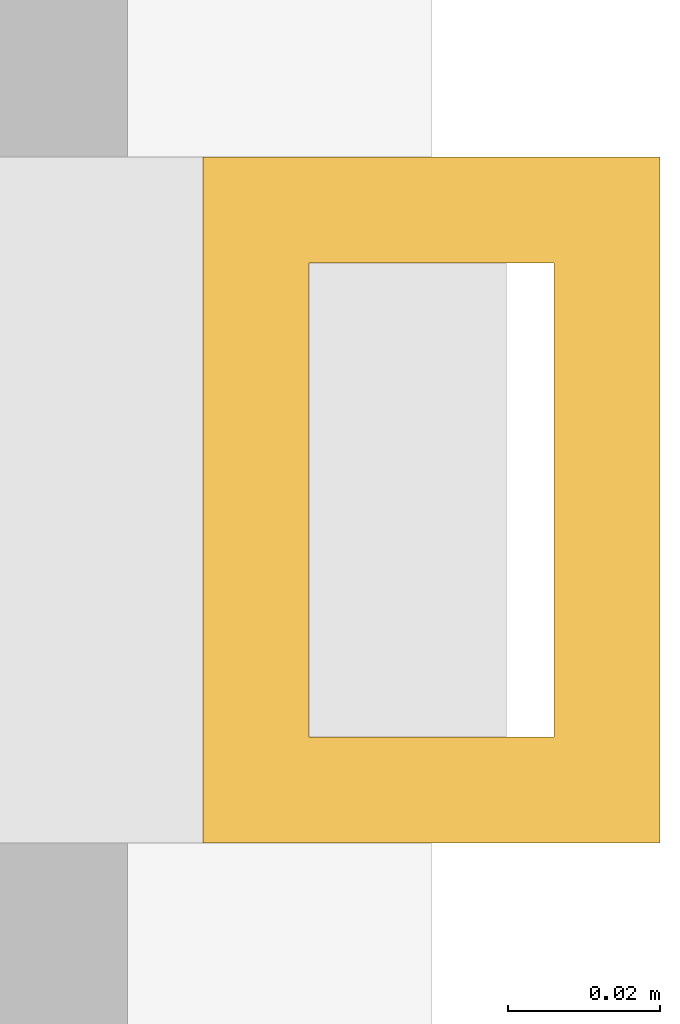
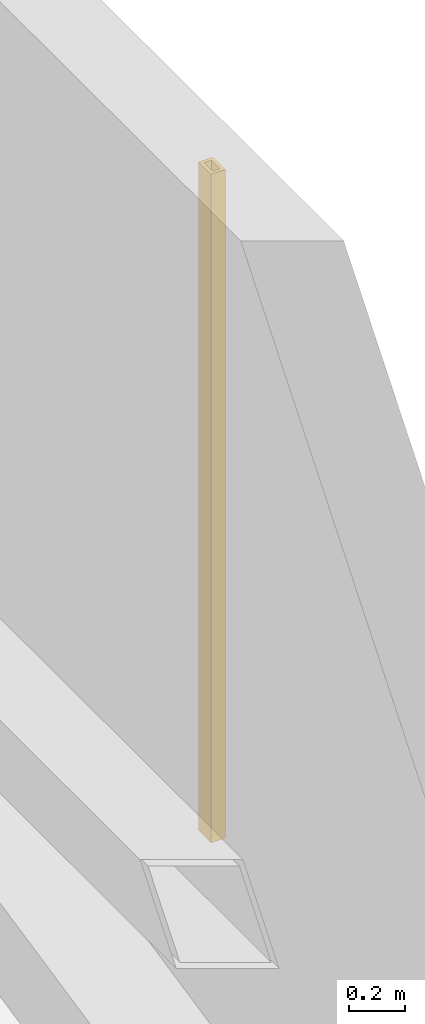
# One storey, part 29 of 29: 1 shading device.
"""IFC4 building model written with IfcOpenShell, lengths in metres."""

from ifc_helpers import new_model, si_unit, direction, frame, origin, origin_2d, place, context, subcontext, project, spatial, hollow_rectangle, extrude, material, material_profile, profile_set, type_object, element, save


model = new_model("IFC4")

# Units and contexts
model_context = context("Model", 3, precision=1e-05, world=origin(), true_north=direction((0.0, 1.0)))
body_context = subcontext(model_context, "Body", "Model", "MODEL_VIEW")
ifc_project = project(units=[si_unit("LENGTHUNIT", "METRE"), si_unit("AREAUNIT", "SQUARE_METRE"), si_unit("VOLUMEUNIT", "CUBIC_METRE"), si_unit("PLANEANGLEUNIT", "RADIAN"), si_unit("MASSUNIT", "GRAM", prefix="KILO")], contexts=[model_context])

# Site, building, storey
site_placement = place(None, origin())
site = spatial("IfcSite", under=ifc_project, at=site_placement, CompositionType="ELEMENT")
building_placement = place(site_placement, origin())
building = spatial("IfcBuilding", under=site, at=building_placement, Name="Punatoya Terracotta Tower", CompositionType="ELEMENT")
storey_placement = place(building_placement, frame((0.0, 0.0, 172.199951171875)))
storey = spatial("IfcBuildingStorey", under=building, at=storey_placement, Name="L40", CompositionType="ELEMENT", Elevation=172.199951171875)

# Shading device
ifc_material = material(Name="Architectural Fired Terracotta", Category="masonry")
ifc_material_profile = material_profile(ifc_material, hollow_rectangle(XDim=0.06005859375, YDim=0.090087890625, WallThickness=0.013916015625, at=origin_2d()))
ifc_profile_set = profile_set([ifc_material_profile], Name="Architectural Fired Terracotta")
shading_device_type = type_object("IfcShadingDeviceType", Name="SHD-JALI-90", PredefinedType="JALOUSIE", material=ifc_profile_set)
shading_device_placement = place(storey_placement, frame((20.25, 9.093505859375, 0.60009765625), z_axis=(0.0, 0.0, 1.0), x_axis=(1.0, 0.0, 0.0)))
element("IfcShadingDevice", 1, at=shading_device_placement, inside=storey, type_object=shading_device_type, Name="L40 Braced Bay Terracotta Jali Fin E2", PredefinedType="JALOUSIE", context=body_context, shape_type="SweptSolid", body=[
    extrude(hollow_rectangle(XDim=0.06005859375, YDim=0.090087890625, WallThickness=0.013916015625, at=origin_2d()), origin(), (0.0, 0.0, 1.0), 2.929931640625),
])

save(model, "model.ifc")
